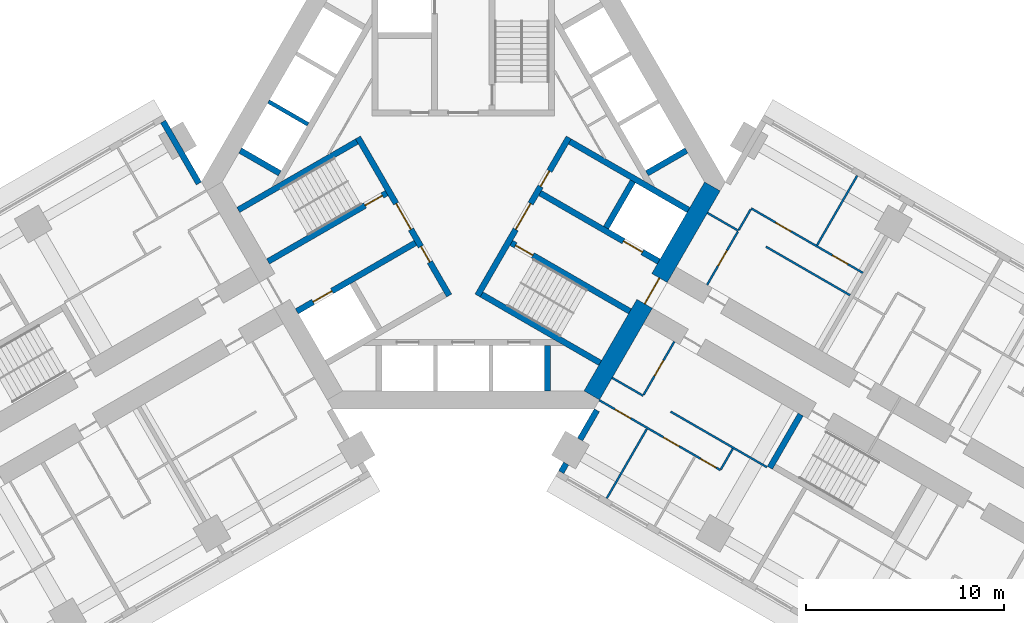
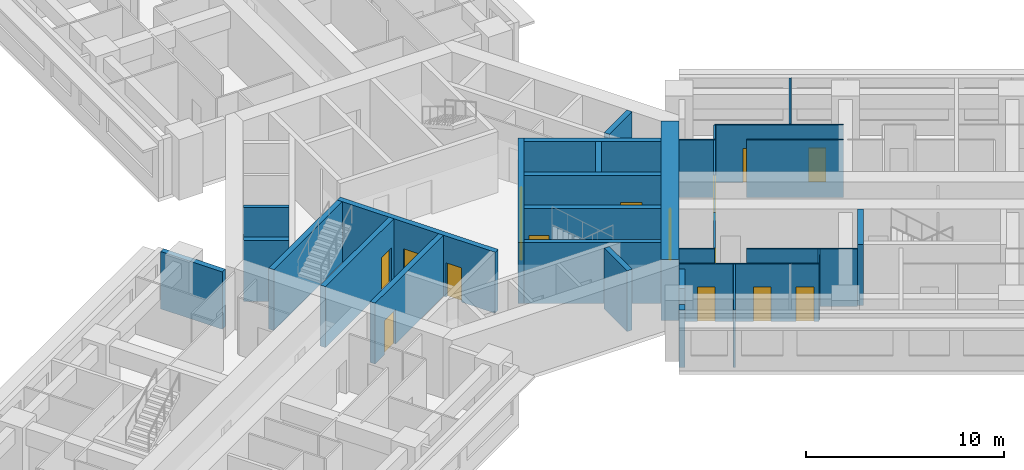
# One storey, part 7 of 16: 31 walls, 16 doors, 16 openings.
"""IFC4 building model written with IfcOpenShell, lengths in metres."""

from ifc_helpers import new_model, si_unit, direction, frame, frame_2d, origin, place, context, subcontext, project, spatial, rectangle, extrude, material, layer, layer_set, type_object, element, fill, save


model = new_model("IFC4")

# Units and contexts
model_context = context("Model", 3, precision=1e-05, world=origin(), true_north=direction((0.0, 1.0)))
body_context = subcontext(model_context, "Body", "Model", "MODEL_VIEW")
ifc_project = project(units=[si_unit("LENGTHUNIT", "METRE"), si_unit("AREAUNIT", "SQUARE_METRE"), si_unit("VOLUMEUNIT", "CUBIC_METRE"), si_unit("PLANEANGLEUNIT", "RADIAN"), si_unit("MASSUNIT", "GRAM", prefix="KILO")], contexts=[model_context])

# Site, building, storey
site_placement = place(None, origin())
site = spatial("IfcSite", under=ifc_project, at=site_placement, CompositionType="ELEMENT")
building_placement = place(site_placement, origin())
building = spatial("IfcBuilding", under=site, at=building_placement, Name="Impinga Residences", CompositionType="ELEMENT")
storey_placement = place(building_placement, frame((0.0, 0.0, 56.0)))
storey = spatial("IfcBuildingStorey", under=building, at=storey_placement, Name="L13", CompositionType="ELEMENT", Elevation=56.0)

# Walls
ifc_material_1 = material(Name="Terracotta rainscreen on blockwork", Category="masonry")
ifc_layer_1 = layer(ifc_material_1, 0.300048828125)
ifc_layer_set_1 = layer_set([ifc_layer_1], Name="EW1 external wall, terracotta rainscreen on blockwork 300")
wall_type_1 = type_object("IfcWallType", Name="EW1 external wall, terracotta rainscreen on blockwork 300", PredefinedType="SOLIDWALL", material=ifc_layer_set_1)
wall_1_placement = place(storey_placement, frame((-15.1298828125, 3.042724609375, 0.0), z_axis=(0.0, 0.0, 1.0), x_axis=(0.500012057535, -0.866018442252, 0.0)))
element("IfcWall", 1, at=wall_1_placement, inside=storey, type_object=wall_type_1, Name="External wall EW1 L13", PredefinedType="SOLIDWALL", context=body_context, shape_type="SweptSolid", body=[
    extrude(rectangle(XDim=3.60009765625, YDim=0.300048828125, at=frame_2d((1.800048828125, 0.0))), origin(), (0.0, 0.0, 1.0), 3.530029296875),
])
wall_2_placement = place(storey_placement, frame((4.929931640625, -14.624267578125, 0.0), z_axis=(0.0, 0.0, 1.0), x_axis=(0.499919672301, 0.866071776036, 0.0)))
element("IfcWall", 2, at=wall_2_placement, inside=storey, type_object=wall_type_1, Name="External wall EW1 L13", PredefinedType="SOLIDWALL", context=body_context, shape_type="SweptSolid", body=[
    extrude(rectangle(XDim=0.5, YDim=0.300048828125, at=frame_2d((0.25, 0.0))), origin(), (0.0, 0.0, 1.0), 3.530029296875),
])
wall_3_placement = place(storey_placement, frame((5.8798828125, -12.978759765625, 0.0), z_axis=(0.0, 0.0, 1.0), x_axis=(0.500062241894, 0.865989465428, 0.0)))
element("IfcWall", 3, at=wall_3_placement, inside=storey, type_object=wall_type_1, Name="External wall EW1 L13", PredefinedType="SOLIDWALL", context=body_context, shape_type="SweptSolid", body=[
    extrude(rectangle(XDim=1.699951171875, YDim=0.300048828125, at=frame_2d((0.85009765625, 0.0))), origin(), (0.0, 0.0, 1.0), 3.530029296875),
])
ifc_material_2 = material(Name="Gypsum board on steel studs", Category="steel")
ifc_layer_2 = layer(ifc_material_2, 0.10009765625)
ifc_layer_set_2 = layer_set([ifc_layer_2], Name="Gypsum board on steel studs")
wall_type_2 = type_object("IfcWallType", Name="IP1 partition 100", PredefinedType="PARTITIONING", material=ifc_layer_set_2)
wall_4_placement = place(storey_placement, frame((12.300048828125, -1.558837890625, 0.0), z_axis=(0.0, 0.0, 1.0), x_axis=(0.866047807691, -0.499961193289, 0.0)))
element("IfcWall", 4, at=wall_4_placement, inside=storey, type_object=wall_type_2, Name="Partition L13-EA1:DIV0", PredefinedType="PARTITIONING", context=body_context, shape_type="SweptSolid", body=[
    extrude(rectangle(XDim=1.800048828125, YDim=0.10009765625, at=frame_2d((0.89990234375, 0.0))), origin(), (0.0, 0.0, 1.0), 3.530029296875),
])
wall_5_placement = place(storey_placement, frame((15.244384765625, -3.2587890625, 0.0), z_axis=(0.0, 0.0, 1.0), x_axis=(0.866036242063, -0.49998122708, 0.0)))
element("IfcWall", 5, at=wall_5_placement, inside=storey, type_object=wall_type_2, Name="Partition L13-EA1:DIV1", PredefinedType="PARTITIONING", context=body_context, shape_type="SweptSolid", body=[
    extrude(rectangle(XDim=4.900146484375, YDim=0.10009765625, at=frame_2d((2.4501953125, 0.0))), origin(), (0.0, 0.0, 1.0), 3.530029296875),
])

# Wall, openings, doors
wall_6_placement = place(storey_placement, frame((14.5087890625, -1.3330078125, 0.0), z_axis=(0.0, 0.0, 1.0), x_axis=(0.866024837091, -0.50000098154, 0.0)))
wall_6 = element("IfcWall", 6, at=wall_6_placement, inside=storey, type_object=wall_type_2, Name="Partition L13-EA1:STRIP", PredefinedType="PARTITIONING", context=body_context, shape_type="SweptSolid", body=[
    extrude(rectangle(XDim=6.5, YDim=0.10009765625, at=frame_2d((3.25, 0.0))), origin(), (0.0, 0.0, 1.0), 3.530029296875),
])
opening_1_placement = place(wall_6_placement, frame((1.425048828125, 0.0, 0.0)))
opening_1 = element("IfcOpeningElement", 7, at=opening_1_placement, cuts=wall_6, Name="Opening D2", PredefinedType="OPENING", context=body_context, shape_type="SweptSolid", body=[
    extrude(rectangle(XDim=0.89990234375, YDim=2.10009765625, at=frame_2d((0.449951171875, 1.050048828125))), frame((0.0, 0.06005859375, 0.0), z_axis=(0.0, -1.0, 0.0), x_axis=(1.0, 0.0, 0.0)), (0.0, 0.0, 1.0), 0.1201171875),
])
opening_2_placement = place(wall_6_placement, frame((4.72509765625, 0.0, 0.0)))
opening_2 = element("IfcOpeningElement", 8, at=opening_2_placement, cuts=wall_6, Name="Opening D2", PredefinedType="OPENING", context=body_context, shape_type="SweptSolid", body=[
    extrude(rectangle(XDim=0.89990234375, YDim=2.10009765625, at=frame_2d((0.449951171875, 1.050048828125))), frame((0.0, 0.06005859375, 0.0), z_axis=(0.0, -1.0, 0.0), x_axis=(1.0, 0.0, 0.0)), (0.0, 0.0, 1.0), 0.1201171875),
])
ifc_material_3 = material(Name="Timber door set", Category="wood")
door_type_1 = type_object("IfcDoorType", Name="D2 internal door 900x2100", OperationType="SINGLE_SWING_LEFT", PredefinedType="DOOR", material=ifc_material_3)
door_1_placement = place(opening_1_placement, origin())
door_1 = element("IfcDoor", 9, at=door_1_placement, inside=storey, type_object=door_type_1, Name="Apartment L13-EA1 room door", OperationType="SINGLE_SWING_LEFT", OverallHeight=2.10009765625, OverallWidth=0.89990234375, PredefinedType="DOOR", context=body_context, shape_type="SweptSolid", body=[
    extrude(rectangle(XDim=0.89990234375, YDim=2.10009765625, at=frame_2d((0.449951171875, 1.050048828125))), frame((0.0, 0.02490234375, 0.0), z_axis=(0.0, -1.0, 0.0), x_axis=(1.0, 0.0, 0.0)), (0.0, 0.0, 1.0), 0.050048828125),
])
fill(opening_1, door_1)
door_2_placement = place(opening_2_placement, origin())
door_2 = element("IfcDoor", 10, at=door_2_placement, inside=storey, type_object=door_type_1, Name="Apartment L13-EA1 room door", OperationType="SINGLE_SWING_RIGHT", OverallHeight=2.10009765625, OverallWidth=0.89990234375, PredefinedType="DOOR", context=body_context, shape_type="SweptSolid", body=[
    extrude(rectangle(XDim=0.89990234375, YDim=2.10009765625, at=frame_2d((0.449951171875, 1.050048828125))), frame((0.0, 0.02490234375, 0.0), z_axis=(0.0, -1.0, 0.0), x_axis=(1.0, 0.0, 0.0)), (0.0, 0.0, 1.0), 0.050048828125),
])
fill(opening_2, door_2)

# Wall
wall_7_placement = place(storey_placement, frame((13.8837890625, -2.41552734375, 0.0), z_axis=(0.0, 0.0, 1.0), x_axis=(0.500033551112, 0.866006032174, 0.0)))
element("IfcWall", 11, at=wall_7_placement, inside=storey, type_object=wall_type_2, Name="Partition L13-EA1:SE0", PredefinedType="PARTITIONING", context=body_context, shape_type="SweptSolid", body=[
    extrude(rectangle(XDim=1.2001953125, YDim=0.10009765625, at=frame_2d((0.60009765625, 0.0))), origin(), (0.0, 0.0, 1.0), 3.530029296875),
])

# Wall, opening, door
wall_8_placement = place(storey_placement, frame((12.283935546875, -5.186767578125, 0.0), z_axis=(0.0, 0.0, 1.0), x_axis=(0.499967891604, 0.866043940782, 0.0)))
wall_8 = element("IfcWall", 12, at=wall_8_placement, inside=storey, type_object=wall_type_2, Name="Partition L13-EA1:IB1", PredefinedType="PARTITIONING", context=body_context, shape_type="SweptSolid", body=[
    extrude(rectangle(XDim=3.099853515625, YDim=0.10009765625, at=frame_2d((1.5498046875, 0.0))), origin(), (0.0, 0.0, 1.0), 3.530029296875),
])
opening_3_placement = place(wall_8_placement, frame((1.10009765625, 0.0, 0.0)))
opening_3 = element("IfcOpeningElement", 13, at=opening_3_placement, cuts=wall_8, Name="Opening D2", PredefinedType="OPENING", context=body_context, shape_type="SweptSolid", body=[
    extrude(rectangle(XDim=0.89990234375, YDim=2.10009765625, at=frame_2d((0.449951171875, 1.050048828125))), frame((0.0, 0.06005859375, 0.0), z_axis=(0.0, -1.0, 0.0), x_axis=(1.0, 0.0, 0.0)), (0.0, 0.0, 1.0), 0.1201171875),
])
door_3_placement = place(opening_3_placement, origin())
door_3 = element("IfcDoor", 14, at=door_3_placement, inside=storey, type_object=door_type_1, Name="Apartment L13-EA1 bathroom door", OperationType="SINGLE_SWING_LEFT", OverallHeight=2.10009765625, OverallWidth=0.89990234375, PredefinedType="DOOR", context=body_context, shape_type="SweptSolid", body=[
    extrude(rectangle(XDim=0.89990234375, YDim=2.10009765625, at=frame_2d((0.449951171875, 1.050048828125))), frame((0.0, 0.02490234375, 0.0), z_axis=(0.0, -1.0, 0.0), x_axis=(1.0, 0.0, 0.0)), (0.0, 0.0, 1.0), 0.050048828125),
])
fill(opening_3, door_3)

# Walls
wall_9_placement = place(storey_placement, frame((17.82470703125, -3.189697265625, 0.0), z_axis=(0.0, 0.0, 1.0), x_axis=(0.500035537042, 0.866004885491, 0.0)))
element("IfcWall", 15, at=wall_9_placement, inside=storey, type_object=wall_type_2, Name="Partition L13-EA1:OB1", PredefinedType="PARTITIONING", context=body_context, shape_type="SweptSolid", body=[
    extrude(rectangle(XDim=4.050048828125, YDim=0.10009765625, at=frame_2d((2.02490234375, 0.0))), origin(), (0.0, 0.0, 1.0), 3.530029296875),
])
wall_10_placement = place(storey_placement, frame((7.5, -9.872802734375, 0.0), z_axis=(0.0, 0.0, 1.0), x_axis=(0.866047807691, -0.499961193289, 0.0)))
element("IfcWall", 16, at=wall_10_placement, inside=storey, type_object=wall_type_2, Name="Partition L13-EF1:DIV0", PredefinedType="PARTITIONING", context=body_context, shape_type="SweptSolid", body=[
    extrude(rectangle(XDim=1.800048828125, YDim=0.10009765625, at=frame_2d((0.89990234375, 0.0))), origin(), (0.0, 0.0, 1.0), 3.530029296875),
])
wall_11_placement = place(storey_placement, frame((10.444580078125, -11.57275390625, 0.0), z_axis=(0.0, 0.0, 1.0), x_axis=(0.866015695474, -0.500016814911, 0.0)))
element("IfcWall", 17, at=wall_11_placement, inside=storey, type_object=wall_type_2, Name="Partition L13-EF1:DIV1", PredefinedType="PARTITIONING", context=body_context, shape_type="SweptSolid", body=[
    extrude(rectangle(XDim=5.599853515625, YDim=0.10009765625, at=frame_2d((2.7998046875, 0.0))), origin(), (0.0, 0.0, 1.0), 3.530029296875),
])

# Wall, openings, doors
wall_12_placement = place(storey_placement, frame((6.85009765625, -10.99853515625, 0.0), z_axis=(0.0, 0.0, 1.0), x_axis=(0.866031034943, -0.499990246421, 0.0)))
wall_12 = element("IfcWall", 18, at=wall_12_placement, inside=storey, type_object=wall_type_2, Name="Partition L13-EF1:STRIP", PredefinedType="PARTITIONING", context=body_context, shape_type="SweptSolid", body=[
    extrude(rectangle(XDim=7.050048828125, YDim=0.10009765625, at=frame_2d((3.52490234375, 0.0))), origin(), (0.0, 0.0, 1.0), 3.530029296875),
])
opening_4_placement = place(wall_12_placement, frame((0.925048828125, 0.0, 0.0)))
opening_4 = element("IfcOpeningElement", 19, at=opening_4_placement, cuts=wall_12, Name="Opening D2", PredefinedType="OPENING", context=body_context, shape_type="SweptSolid", body=[
    extrude(rectangle(XDim=0.89990234375, YDim=2.10009765625, at=frame_2d((0.449951171875, 1.050048828125))), frame((0.0, 0.06005859375, 0.0), z_axis=(0.0, -1.0, 0.0), x_axis=(1.0, 0.0, 0.0)), (0.0, 0.0, 1.0), 0.1201171875),
])
opening_5_placement = place(wall_12_placement, frame((3.75, 0.0, 0.0)))
opening_5 = element("IfcOpeningElement", 20, at=opening_5_placement, cuts=wall_12, Name="Opening D2", PredefinedType="OPENING", context=body_context, shape_type="SweptSolid", body=[
    extrude(rectangle(XDim=0.89990234375, YDim=2.10009765625, at=frame_2d((0.449951171875, 1.050048828125))), frame((0.0, 0.06005859375, 0.0), z_axis=(0.0, -1.0, 0.0), x_axis=(1.0, 0.0, 0.0)), (0.0, 0.0, 1.0), 0.1201171875),
])
opening_6_placement = place(wall_12_placement, frame((5.89990234375, 0.0, 0.0)))
opening_6 = element("IfcOpeningElement", 21, at=opening_6_placement, cuts=wall_12, Name="Opening D2", PredefinedType="OPENING", context=body_context, shape_type="SweptSolid", body=[
    extrude(rectangle(XDim=0.89990234375, YDim=2.10009765625, at=frame_2d((0.449951171875, 1.050048828125))), frame((0.0, 0.06005859375, 0.0), z_axis=(0.0, -1.0, 0.0), x_axis=(1.0, 0.0, 0.0)), (0.0, 0.0, 1.0), 0.1201171875),
])
door_4_placement = place(opening_4_placement, origin())
door_4 = element("IfcDoor", 22, at=door_4_placement, inside=storey, type_object=door_type_1, Name="Apartment L13-EF1 room door", OperationType="SINGLE_SWING_LEFT", OverallHeight=2.10009765625, OverallWidth=0.89990234375, PredefinedType="DOOR", context=body_context, shape_type="SweptSolid", body=[
    extrude(rectangle(XDim=0.89990234375, YDim=2.10009765625, at=frame_2d((0.449951171875, 1.050048828125))), frame((0.0, 0.02490234375, 0.0), z_axis=(0.0, -1.0, 0.0), x_axis=(1.0, 0.0, 0.0)), (0.0, 0.0, 1.0), 0.050048828125),
])
fill(opening_4, door_4)
door_5_placement = place(opening_5_placement, origin())
door_5 = element("IfcDoor", 23, at=door_5_placement, inside=storey, type_object=door_type_1, Name="Apartment L13-EF1 room door", OperationType="SINGLE_SWING_RIGHT", OverallHeight=2.10009765625, OverallWidth=0.89990234375, PredefinedType="DOOR", context=body_context, shape_type="SweptSolid", body=[
    extrude(rectangle(XDim=0.89990234375, YDim=2.10009765625, at=frame_2d((0.449951171875, 1.050048828125))), frame((0.0, 0.02490234375, 0.0), z_axis=(0.0, -1.0, 0.0), x_axis=(1.0, 0.0, 0.0)), (0.0, 0.0, 1.0), 0.050048828125),
])
fill(opening_5, door_5)
door_6_placement = place(opening_6_placement, origin())
door_6 = element("IfcDoor", 24, at=door_6_placement, inside=storey, type_object=door_type_1, Name="Apartment L13-EF1 room door", OperationType="SINGLE_SWING_RIGHT", OverallHeight=2.10009765625, OverallWidth=0.89990234375, PredefinedType="DOOR", context=body_context, shape_type="SweptSolid", body=[
    extrude(rectangle(XDim=0.89990234375, YDim=2.10009765625, at=frame_2d((0.449951171875, 1.050048828125))), frame((0.0, 0.02490234375, 0.0), z_axis=(0.0, -1.0, 0.0), x_axis=(1.0, 0.0, 0.0)), (0.0, 0.0, 1.0), 0.050048828125),
])
fill(opening_6, door_6)

# Wall
wall_13_placement = place(storey_placement, frame((13.58056640625, -13.44091796875, 0.0), z_axis=(0.0, 0.0, 1.0), x_axis=(-0.500033551112, -0.866006032174, 0.0)))
element("IfcWall", 25, at=wall_13_placement, inside=storey, type_object=wall_type_2, Name="Partition L13-EF1:SE1", PredefinedType="PARTITIONING", context=body_context, shape_type="SweptSolid", body=[
    extrude(rectangle(XDim=1.2001953125, YDim=0.10009765625, at=frame_2d((0.60009765625, 0.0))), origin(), (0.0, 0.0, 1.0), 3.530029296875),
])

# Wall, opening, door
wall_14_placement = place(storey_placement, frame((10.6337890625, -8.044677734375, 0.0), z_axis=(0.0, 0.0, 1.0), x_axis=(-0.49999285859, -0.86602952684, 0.0)))
wall_14 = element("IfcWall", 26, at=wall_14_placement, inside=storey, type_object=wall_type_2, Name="Partition L13-EF1:IB1", PredefinedType="PARTITIONING", context=body_context, shape_type="SweptSolid", body=[
    extrude(rectangle(XDim=3.10009765625, YDim=0.10009765625, at=frame_2d((1.550048828125, 0.0))), origin(), (0.0, 0.0, 1.0), 3.530029296875),
])
opening_7_placement = place(wall_14_placement, frame((1.10009765625, 0.0, 0.0)))
opening_7 = element("IfcOpeningElement", 27, at=opening_7_placement, cuts=wall_14, Name="Opening D2", PredefinedType="OPENING", context=body_context, shape_type="SweptSolid", body=[
    extrude(rectangle(XDim=0.89990234375, YDim=2.10009765625, at=frame_2d((0.449951171875, 1.050048828125))), frame((0.0, 0.06005859375, 0.0), z_axis=(0.0, -1.0, 0.0), x_axis=(1.0, 0.0, 0.0)), (0.0, 0.0, 1.0), 0.1201171875),
])
door_7_placement = place(opening_7_placement, origin())
door_7 = element("IfcDoor", 28, at=door_7_placement, inside=storey, type_object=door_type_1, Name="Apartment L13-EF1 bathroom door", OperationType="SINGLE_SWING_LEFT", OverallHeight=2.10009765625, OverallWidth=0.89990234375, PredefinedType="DOOR", context=body_context, shape_type="SweptSolid", body=[
    extrude(rectangle(XDim=0.89990234375, YDim=2.10009765625, at=frame_2d((0.449951171875, 1.050048828125))), frame((0.0, 0.02490234375, 0.0), z_axis=(0.0, -1.0, 0.0), x_axis=(1.0, 0.0, 0.0)), (0.0, 0.0, 1.0), 0.050048828125),
])
fill(opening_7, door_7)

# Walls
wall_15_placement = place(storey_placement, frame((9.249755859375, -12.44189453125, 0.0), z_axis=(0.0, 0.0, 1.0), x_axis=(-0.499990325971, -0.866030989016, 0.0)))
element("IfcWall", 29, at=wall_15_placement, inside=storey, type_object=wall_type_2, Name="Partition L13-EF1:OB1", PredefinedType="PARTITIONING", context=body_context, shape_type="SweptSolid", body=[
    extrude(rectangle(XDim=4.0498046875, YDim=0.10009765625, at=frame_2d((2.02490234375, 0.0))), origin(), (0.0, 0.0, 1.0), 3.530029296875),
])
ifc_material_4 = material(Name="Concrete C60/75", Category="concrete")
ifc_layer_3 = layer(ifc_material_4, 0.300048828125)
ifc_layer_set_3 = layer_set([ifc_layer_3], Name="Concrete C60/75")
wall_type_3 = type_object("IfcWallType", Name="SE1 wing stair enclosure wall 300", PredefinedType="SOLIDWALL", material=ifc_layer_set_3)
wall_16_placement = place(storey_placement, frame((16.9990234375, -11.7197265625, 0.0), z_axis=(0.0, 0.0, 1.0), x_axis=(-0.499967891604, -0.866043940782, 0.0)))
element("IfcWall", 30, at=wall_16_placement, inside=storey, type_object=wall_type_3, Name="Stair enclosure wall SE1 E END0 L13", PredefinedType="SOLIDWALL", context=body_context, shape_type="SweptSolid", body=[
    extrude(rectangle(XDim=3.099853515625, YDim=0.300048828125, at=frame_2d((1.5498046875, 0.0))), origin(), (0.0, 0.0, 1.0), 3.75),
])

# Wall, opening, door
ifc_material_5 = material(Name="Concrete C70/85", Category="concrete")
ifc_layer_4 = layer(ifc_material_5, 0.89990234375)
ifc_layer_set_4 = layer_set([ifc_layer_4], Name="Concrete C70/85")
wall_type_4 = type_object("IfcWallType", Name="SW1 core wall 900", PredefinedType="SHEAR", material=ifc_layer_set_4)
wall_17_placement = place(storey_placement, frame((12.550537109375, -0.22509765625, 0.0), z_axis=(0.0, 0.0, 1.0), x_axis=(-0.499997612506, -0.8660267822, 0.0)))
wall_17 = element("IfcWall", 31, at=wall_17_placement, inside=storey, type_object=wall_type_4, Name="Core wall SW1 E:FACE L13", PredefinedType="SHEAR", context=body_context, shape_type="SweptSolid", body=[
    extrude(rectangle(XDim=12.16064453125, YDim=0.89990234375, at=frame_2d((6.080322265625, 0.0))), origin(), (0.0, 0.0, 1.0), 3.75),
])
opening_8_placement = place(wall_17_placement, frame((5.330322265625, 0.0, 0.0)))
opening_8 = element("IfcOpeningElement", 32, at=opening_8_placement, cuts=wall_17, Name="Opening D4", PredefinedType="OPENING", context=body_context, shape_type="SweptSolid", body=[
    extrude(rectangle(XDim=1.5, YDim=2.10009765625, at=frame_2d((0.75, 1.050048828125))), frame((0.0, 0.4599609375, 0.0), z_axis=(0.0, -1.0, 0.0), x_axis=(1.0, 0.0, 0.0)), (0.0, 0.0, 1.0), 0.919921875),
])
door_type_2 = type_object("IfcDoorType", Name="D4 lobby door pair 1500x2100", OperationType="DOUBLE_DOOR_DOUBLE_SWING", PredefinedType="DOOR", material=ifc_material_3)
door_8_placement = place(opening_8_placement, origin())
door_8 = element("IfcDoor", 33, at=door_8_placement, inside=storey, type_object=door_type_2, Name="Lobby door E", OperationType="DOUBLE_DOOR_DOUBLE_SWING", OverallHeight=2.10009765625, OverallWidth=1.5, PredefinedType="DOOR", context=body_context, shape_type="SweptSolid", body=[
    extrude(rectangle(XDim=1.5, YDim=2.10009765625, at=frame_2d((0.75, 1.050048828125))), frame((0.0, 0.02490234375, 0.0), z_axis=(0.0, -1.0, 0.0), x_axis=(1.0, 0.0, 0.0)), (0.0, 0.0, 1.0), 0.050048828125),
])
fill(opening_8, door_8)

# Wall, openings, doors
ifc_layer_5 = layer(ifc_material_5, 0.300048828125)
ifc_layer_set_5 = layer_set([ifc_layer_5], Name="Concrete C70/85")
wall_type_5 = type_object("IfcWallType", Name="SW5 core inner wall, stairs, shafts and lobbies 300", PredefinedType="SHEAR", material=ifc_layer_set_5)
wall_18_placement = place(storey_placement, frame((-0.7138671875, -5.7236328125, 0.0), z_axis=(0.0, 0.0, 1.0), x_axis=(-0.499995050369, 0.866028261437, 0.0)))
wall_18 = element("IfcWall", 34, at=wall_18_placement, inside=storey, type_object=wall_type_5, Name="Core wall SW5 W:ZONE L13", PredefinedType="SHEAR", context=body_context, shape_type="SweptSolid", body=[
    extrude(rectangle(XDim=9.19970703125, YDim=0.300048828125, at=frame_2d((4.599853515625, 0.0))), origin(), (0.0, 0.0, 1.0), 3.75),
])
opening_9_placement = place(wall_18_placement, frame((3.85009765625, 0.0, 0.0)))
opening_9 = element("IfcOpeningElement", 35, at=opening_9_placement, cuts=wall_18, Name="Opening D4", PredefinedType="OPENING", context=body_context, shape_type="SweptSolid", body=[
    extrude(rectangle(XDim=1.5, YDim=2.10009765625, at=frame_2d((0.75, 1.050048828125))), frame((0.0, 0.159912109375, 0.0), z_axis=(0.0, -1.0, 0.0), x_axis=(1.0, 0.0, 0.0)), (0.0, 0.0, 1.0), 0.320068359375),
])
opening_10_placement = place(wall_18_placement, frame((1.949951171875, 0.0, 0.0)))
opening_10 = element("IfcOpeningElement", 36, at=opening_10_placement, cuts=wall_18, Name="Opening D6", PredefinedType="OPENING", context=body_context, shape_type="SweptSolid", body=[
    extrude(rectangle(XDim=0.89990234375, YDim=2.10009765625, at=frame_2d((0.449951171875, 1.050048828125))), frame((0.0, 0.159912109375, 0.0), z_axis=(0.0, -1.0, 0.0), x_axis=(1.0, 0.0, 0.0)), (0.0, 0.0, 1.0), 0.320068359375),
])
door_9_placement = place(opening_9_placement, origin())
door_9 = element("IfcDoor", 37, at=door_9_placement, inside=storey, type_object=door_type_2, Name="Firefighting lobby door W", OperationType="DOUBLE_DOOR_DOUBLE_SWING", OverallHeight=2.10009765625, OverallWidth=1.5, PredefinedType="DOOR", context=body_context, shape_type="SweptSolid", body=[
    extrude(rectangle(XDim=1.5, YDim=2.10009765625, at=frame_2d((0.75, 1.050048828125))), frame((0.0, 0.02490234375, 0.0), z_axis=(0.0, -1.0, 0.0), x_axis=(1.0, 0.0, 0.0)), (0.0, 0.0, 1.0), 0.050048828125),
])
fill(opening_9, door_9)
door_type_3 = type_object("IfcDoorType", Name="D6 riser and store door 900x2100", OperationType="SINGLE_SWING_LEFT", PredefinedType="DOOR", material=ifc_material_3)
door_10_placement = place(opening_10_placement, origin())
door_10 = element("IfcDoor", 38, at=door_10_placement, inside=storey, type_object=door_type_3, Name="Riser door W", OperationType="SINGLE_SWING_LEFT", OverallHeight=2.10009765625, OverallWidth=0.89990234375, PredefinedType="DOOR", context=body_context, shape_type="SweptSolid", body=[
    extrude(rectangle(XDim=0.89990234375, YDim=2.10009765625, at=frame_2d((0.449951171875, 1.050048828125))), frame((0.0, 0.02490234375, 0.0), z_axis=(0.0, -1.0, 0.0), x_axis=(1.0, 0.0, 0.0)), (0.0, 0.0, 1.0), 0.050048828125),
])
fill(opening_10, door_10)

# Wall, opening, door
wall_19_placement = place(storey_placement, frame((-3.86865234375, -0.559326171875, 0.0), z_axis=(0.0, 0.0, 1.0), x_axis=(-0.86602711848, -0.499997030048, 0.0)))
wall_19 = element("IfcWall", 39, at=wall_19_placement, inside=storey, type_object=wall_type_5, Name="Core wall SW5 W:ST-IN L13", PredefinedType="SHEAR", context=body_context, shape_type="SweptSolid", body=[
    extrude(rectangle(XDim=6.9013671875, YDim=0.300048828125, at=frame_2d((3.45068359375, 0.0))), origin(), (0.0, 0.0, 1.0), 3.75),
])
opening_11_placement = place(wall_19_placement, frame((0.25, 0.0, 0.0)))
opening_11 = element("IfcOpeningElement", 40, at=opening_11_placement, cuts=wall_19, Name="Opening D5", PredefinedType="OPENING", context=body_context, shape_type="SweptSolid", body=[
    extrude(rectangle(XDim=1.0, YDim=2.10009765625, at=frame_2d((0.5, 1.050048828125))), frame((0.0, 0.159912109375, 0.0), z_axis=(0.0, -1.0, 0.0), x_axis=(1.0, 0.0, 0.0)), (0.0, 0.0, 1.0), 0.320068359375),
])
door_type_4 = type_object("IfcDoorType", Name="D5 stair door 1000x2100", OperationType="SINGLE_SWING_LEFT", PredefinedType="DOOR", material=ifc_material_3)
door_11_placement = place(opening_11_placement, origin())
door_11 = element("IfcDoor", 41, at=door_11_placement, inside=storey, type_object=door_type_4, Name="Stair door W", OperationType="SINGLE_SWING_LEFT", OverallHeight=2.10009765625, OverallWidth=1.0, PredefinedType="DOOR", context=body_context, shape_type="SweptSolid", body=[
    extrude(rectangle(XDim=1.0, YDim=2.10009765625, at=frame_2d((0.5, 1.050048828125))), frame((0.0, 0.02490234375, 0.0), z_axis=(0.0, -1.0, 0.0), x_axis=(1.0, 0.0, 0.0)), (0.0, 0.0, 1.0), 0.050048828125),
])
fill(opening_11, door_11)

# Wall
wall_20_placement = place(storey_placement, frame((-5.36865234375, 2.038818359375, 0.0), z_axis=(0.0, 0.0, 1.0), x_axis=(-0.86602711848, -0.499997030048, 0.0)))
element("IfcWall", 42, at=wall_20_placement, inside=storey, type_object=wall_type_5, Name="Core wall SW5 W:ST-OUT L13", PredefinedType="SHEAR", context=body_context, shape_type="SweptSolid", body=[
    extrude(rectangle(XDim=6.9013671875, YDim=0.300048828125, at=frame_2d((3.45068359375, 0.0))), origin(), (0.0, 0.0, 1.0), 3.75),
])

# Wall, opening, door
wall_21_placement = place(storey_placement, frame((-2.418701171875, -3.07080078125, 0.0), z_axis=(0.0, 0.0, 1.0), x_axis=(-0.86602711848, -0.499997030048, 0.0)))
wall_21 = element("IfcWall", 43, at=wall_21_placement, inside=storey, type_object=wall_type_5, Name="Core wall SW5 W:FF-IN L13", PredefinedType="SHEAR", context=body_context, shape_type="SweptSolid", body=[
    extrude(rectangle(XDim=6.9013671875, YDim=0.300048828125, at=frame_2d((3.45068359375, 0.0))), origin(), (0.0, 0.0, 1.0), 3.75),
])
opening_12_placement = place(wall_21_placement, frame((4.85009765625, 0.0, 0.0)))
opening_12 = element("IfcOpeningElement", 44, at=opening_12_placement, cuts=wall_21, Name="Opening LD2", PredefinedType="OPENING", context=body_context, shape_type="SweptSolid", body=[
    extrude(rectangle(XDim=1.10009765625, YDim=2.10009765625, at=frame_2d((0.550048828125, 1.050048828125))), frame((0.0, 0.159912109375, 0.0), z_axis=(0.0, -1.0, 0.0), x_axis=(1.0, 0.0, 0.0)), (0.0, 0.0, 1.0), 0.320068359375),
])
ifc_material_6 = material(Name="Steel lift landing door", Category="steel")
door_type_5 = type_object("IfcDoorType", Name="LD2 firefighting lift landing door 1100x2100", OperationType="DOUBLE_DOOR_SLIDING", PredefinedType="DOOR", material=ifc_material_6)
door_12_placement = place(opening_12_placement, origin())
door_12 = element("IfcDoor", 45, at=door_12_placement, inside=storey, type_object=door_type_5, Name="Firefighting lift landing door F2", OperationType="DOUBLE_DOOR_SLIDING", OverallHeight=2.10009765625, OverallWidth=1.10009765625, PredefinedType="DOOR", context=body_context, shape_type="SweptSolid", body=[
    extrude(rectangle(XDim=1.10009765625, YDim=2.10009765625, at=frame_2d((0.550048828125, 1.050048828125))), frame((0.0, 0.02490234375, 0.0), z_axis=(0.0, -1.0, 0.0), x_axis=(1.0, 0.0, 0.0)), (0.0, 0.0, 1.0), 0.050048828125),
])
fill(opening_12, door_12)

# Wall, openings, doors
wall_22_placement = place(storey_placement, frame((5.313720703125, 2.24365234375, 0.0), z_axis=(0.0, 0.0, 1.0), x_axis=(-0.499995050369, -0.866028261437, 0.0)))
wall_22 = element("IfcWall", 46, at=wall_22_placement, inside=storey, type_object=wall_type_5, Name="Core wall SW5 E:ZONE L13", PredefinedType="SHEAR", context=body_context, shape_type="SweptSolid", body=[
    extrude(rectangle(XDim=9.19970703125, YDim=0.300048828125, at=frame_2d((4.599853515625, 0.0))), origin(), (0.0, 0.0, 1.0), 3.75),
])
opening_13_placement = place(wall_22_placement, frame((3.85009765625, 0.0, 0.0)))
opening_13 = element("IfcOpeningElement", 47, at=opening_13_placement, cuts=wall_22, Name="Opening D4", PredefinedType="OPENING", context=body_context, shape_type="SweptSolid", body=[
    extrude(rectangle(XDim=1.5, YDim=2.10009765625, at=frame_2d((0.75, 1.050048828125))), frame((0.0, 0.159912109375, 0.0), z_axis=(0.0, -1.0, 0.0), x_axis=(1.0, 0.0, 0.0)), (0.0, 0.0, 1.0), 0.320068359375),
])
opening_14_placement = place(wall_22_placement, frame((1.949951171875, 0.0, 0.0)))
opening_14 = element("IfcOpeningElement", 48, at=opening_14_placement, cuts=wall_22, Name="Opening D6", PredefinedType="OPENING", context=body_context, shape_type="SweptSolid", body=[
    extrude(rectangle(XDim=0.89990234375, YDim=2.10009765625, at=frame_2d((0.449951171875, 1.050048828125))), frame((0.0, 0.159912109375, 0.0), z_axis=(0.0, -1.0, 0.0), x_axis=(1.0, 0.0, 0.0)), (0.0, 0.0, 1.0), 0.320068359375),
])
door_13_placement = place(opening_13_placement, origin())
door_13 = element("IfcDoor", 49, at=door_13_placement, inside=storey, type_object=door_type_2, Name="Firefighting lobby door E", OperationType="DOUBLE_DOOR_DOUBLE_SWING", OverallHeight=2.10009765625, OverallWidth=1.5, PredefinedType="DOOR", context=body_context, shape_type="SweptSolid", body=[
    extrude(rectangle(XDim=1.5, YDim=2.10009765625, at=frame_2d((0.75, 1.050048828125))), frame((0.0, 0.02490234375, 0.0), z_axis=(0.0, -1.0, 0.0), x_axis=(1.0, 0.0, 0.0)), (0.0, 0.0, 1.0), 0.050048828125),
])
fill(opening_13, door_13)
door_14_placement = place(opening_14_placement, origin())
door_14 = element("IfcDoor", 50, at=door_14_placement, inside=storey, type_object=door_type_3, Name="Riser door E", OperationType="SINGLE_SWING_LEFT", OverallHeight=2.10009765625, OverallWidth=0.89990234375, PredefinedType="DOOR", context=body_context, shape_type="SweptSolid", body=[
    extrude(rectangle(XDim=0.89990234375, YDim=2.10009765625, at=frame_2d((0.449951171875, 1.050048828125))), frame((0.0, 0.02490234375, 0.0), z_axis=(0.0, -1.0, 0.0), x_axis=(1.0, 0.0, 0.0)), (0.0, 0.0, 1.0), 0.050048828125),
])
fill(opening_14, door_14)

# Wall, opening, door
wall_23_placement = place(storey_placement, frame((2.418701171875, -3.07080078125, 0.0), z_axis=(0.0, 0.0, 1.0), x_axis=(0.86602711848, -0.499997030048, 0.0)))
wall_23 = element("IfcWall", 51, at=wall_23_placement, inside=storey, type_object=wall_type_5, Name="Core wall SW5 E:ST-IN L13", PredefinedType="SHEAR", context=body_context, shape_type="SweptSolid", body=[
    extrude(rectangle(XDim=6.9013671875, YDim=0.300048828125, at=frame_2d((3.45068359375, 0.0))), origin(), (0.0, 0.0, 1.0), 3.75),
])
opening_15_placement = place(wall_23_placement, frame((0.25, 0.0, 0.0)))
opening_15 = element("IfcOpeningElement", 52, at=opening_15_placement, cuts=wall_23, Name="Opening D5", PredefinedType="OPENING", context=body_context, shape_type="SweptSolid", body=[
    extrude(rectangle(XDim=1.0, YDim=2.10009765625, at=frame_2d((0.5, 1.050048828125))), frame((0.0, 0.159912109375, 0.0), z_axis=(0.0, -1.0, 0.0), x_axis=(1.0, 0.0, 0.0)), (0.0, 0.0, 1.0), 0.320068359375),
])
door_15_placement = place(opening_15_placement, origin())
door_15 = element("IfcDoor", 53, at=door_15_placement, inside=storey, type_object=door_type_4, Name="Stair door E", OperationType="SINGLE_SWING_LEFT", OverallHeight=2.10009765625, OverallWidth=1.0, PredefinedType="DOOR", context=body_context, shape_type="SweptSolid", body=[
    extrude(rectangle(XDim=1.0, YDim=2.10009765625, at=frame_2d((0.5, 1.050048828125))), frame((0.0, 0.02490234375, 0.0), z_axis=(0.0, -1.0, 0.0), x_axis=(1.0, 0.0, 0.0)), (0.0, 0.0, 1.0), 0.050048828125),
])
fill(opening_15, door_15)

# Wall
wall_24_placement = place(storey_placement, frame((0.918701171875, -5.668701171875, 0.0), z_axis=(0.0, 0.0, 1.0), x_axis=(0.866011800373, -0.500023561059, 0.0)))
element("IfcWall", 54, at=wall_24_placement, inside=storey, type_object=wall_type_5, Name="Core wall SW5 E:ST-OUT L13", PredefinedType="SHEAR", context=body_context, shape_type="SweptSolid", body=[
    extrude(rectangle(XDim=6.901611328125, YDim=0.300048828125, at=frame_2d((3.45068359375, 0.0))), origin(), (0.0, 0.0, 1.0), 3.75),
])

# Wall, opening, door
wall_25_placement = place(storey_placement, frame((3.86865234375, -0.559326171875, 0.0), z_axis=(0.0, 0.0, 1.0), x_axis=(0.86602711848, -0.499997030048, 0.0)))
wall_25 = element("IfcWall", 55, at=wall_25_placement, inside=storey, type_object=wall_type_5, Name="Core wall SW5 E:FF-IN L13", PredefinedType="SHEAR", context=body_context, shape_type="SweptSolid", body=[
    extrude(rectangle(XDim=6.9013671875, YDim=0.300048828125, at=frame_2d((3.45068359375, 0.0))), origin(), (0.0, 0.0, 1.0), 3.75),
])
opening_16_placement = place(wall_25_placement, frame((4.85009765625, 0.0, 0.0)))
opening_16 = element("IfcOpeningElement", 56, at=opening_16_placement, cuts=wall_25, Name="Opening LD2", PredefinedType="OPENING", context=body_context, shape_type="SweptSolid", body=[
    extrude(rectangle(XDim=1.10009765625, YDim=2.10009765625, at=frame_2d((0.550048828125, 1.050048828125))), frame((0.0, 0.159912109375, 0.0), z_axis=(0.0, -1.0, 0.0), x_axis=(1.0, 0.0, 0.0)), (0.0, 0.0, 1.0), 0.320068359375),
])
door_16_placement = place(opening_16_placement, origin())
door_16 = element("IfcDoor", 57, at=door_16_placement, inside=storey, type_object=door_type_5, Name="Firefighting lift landing door F3", OperationType="DOUBLE_DOOR_SLIDING", OverallHeight=2.10009765625, OverallWidth=1.10009765625, PredefinedType="DOOR", context=body_context, shape_type="SweptSolid", body=[
    extrude(rectangle(XDim=1.10009765625, YDim=2.10009765625, at=frame_2d((0.550048828125, 1.050048828125))), frame((0.0, 0.02490234375, 0.0), z_axis=(0.0, -1.0, 0.0), x_axis=(1.0, 0.0, 0.0)), (0.0, 0.0, 1.0), 0.050048828125),
])
fill(opening_16, door_16)

# Walls
wall_26_placement = place(storey_placement, frame((5.36865234375, 2.038818359375, 0.0), z_axis=(0.0, 0.0, 1.0), x_axis=(0.86602711848, -0.499997030048, 0.0)))
element("IfcWall", 58, at=wall_26_placement, inside=storey, type_object=wall_type_5, Name="Core wall SW5 E:FF-OUT L13", PredefinedType="SHEAR", context=body_context, shape_type="SweptSolid", body=[
    extrude(rectangle(XDim=6.9013671875, YDim=0.300048828125, at=frame_2d((3.45068359375, 0.0))), origin(), (0.0, 0.0, 1.0), 3.75),
])
wall_27_placement = place(storey_placement, frame((8.541259765625, 0.033935546875, 0.0), z_axis=(0.0, 0.0, 1.0), x_axis=(-0.50000943426, -0.866019956843, 0.0)))
element("IfcWall", 59, at=wall_27_placement, inside=storey, type_object=wall_type_5, Name="Core wall SW5 E:FF-RS L13", PredefinedType="SHEAR", context=body_context, shape_type="SweptSolid", body=[
    extrude(rectangle(XDim=2.7001953125, YDim=0.300048828125, at=frame_2d((1.35009765625, 0.0))), origin(), (0.0, 0.0, 1.0), 3.75),
])
for number, where, z_axis, x_axis, name in (
    (60, (4.25, -8.2314453125, 0.0), (0.0, 0.0, 1.0), (0.0, -1.0, 0.0), "Core wall SW5 N:BANK-L L13"),
    (61, (9.253662109375, 0.43505859375, 0.0), (0.0, 0.0, 1.0), (0.866007057882, 0.500031774688, 0.0), "Core wall SW5 W:BANK-R L13"),
    (62, (-9.253662109375, 0.43505859375, 0.0), (0.0, 0.0, 1.0), (-0.866007057882, 0.500031774688, 0.0), "Core wall SW5 E:BANK-L L13"),
):
    element("IfcWall", number, at=place(storey_placement, frame(where, z_axis=z_axis, x_axis=x_axis)), inside=storey, type_object=wall_type_5, Name=name, PredefinedType="SHEAR", context=body_context, shape_type="SweptSolid", body=[
        extrude(rectangle(XDim=2.300048828125, YDim=0.300048828125, at=frame_2d((1.14990234375, 0.0))), origin(), (0.0, 0.0, 1.0), 3.75),
    ])
ifc_layer_6 = layer(ifc_material_5, 0.199951171875)
ifc_layer_set_6 = layer_set([ifc_layer_6], Name="Concrete C70/85")
wall_type_6 = type_object("IfcWallType", Name="SW6 lift shaft divider wall 200", PredefinedType="SHEAR", material=ifc_layer_set_6)
wall_28_placement = place(storey_placement, frame((-7.82861328125, 2.9033203125, 0.0), z_axis=(0.0, 0.0, 1.0), x_axis=(-0.866053019151, 0.499952165731, 0.0)))
element("IfcWall", 63, at=wall_28_placement, inside=storey, type_object=wall_type_6, Name="Core wall SW6 E:BANK-D1 L13", PredefinedType="SHEAR", context=body_context, shape_type="SweptSolid", body=[
    extrude(rectangle(XDim=2.300048828125, YDim=0.199951171875, at=frame_2d((1.14990234375, 0.0))), origin(), (0.0, 0.0, 1.0), 3.75),
])

save(model, "model.ifc")
